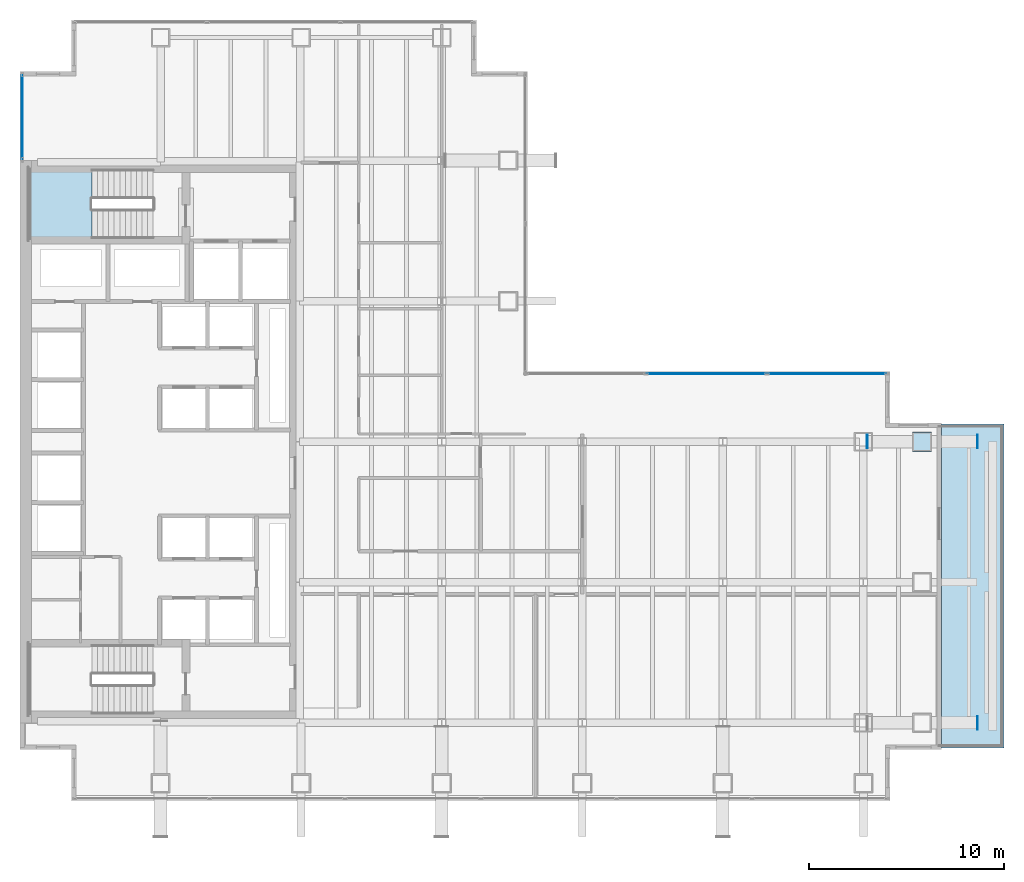
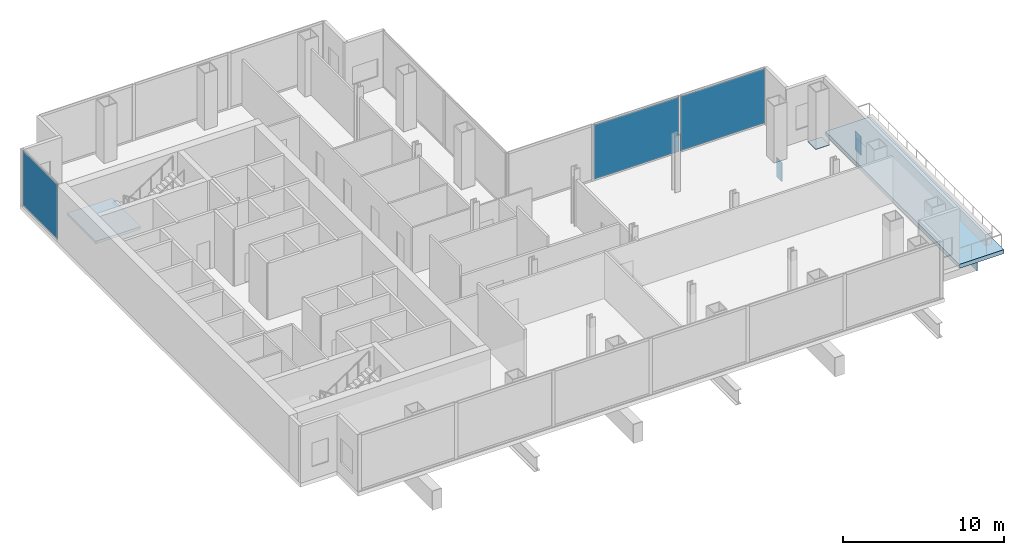
# One storey, part 12 of 16: 7 plates, 2 slabs, 3 elements without a shape of their own.
"""IFC4 building model written with IfcOpenShell, lengths in metres."""

import ifcopenshell
import ifcopenshell.guid

model = None  # the IFC model being written
_history = None  # IfcOwnerHistory: only IFC2X3 demands one
_inside = {}  # id of a spatial element -> (the spatial element, [elements in it])
_under = {}  # id of a project, library or spatial element -> (it, [spatial elements below it])
_declared = {}  # id of a project -> (the project, [libraries it declares])
_typed = {}  # id of a type object -> (the type object, [elements of that type])
_made_of = {}  # id of a material, layer set ... -> (it, [elements and type objects made of it])


def new_model(schema):
    """Start an empty IFC model of exactly this schema.

    Asked for "IFC4X3", IfcOpenShell would pick the latest addendum, in which some entities
    have other attributes; the version numbers below select the first issue.
    IFC2X3 requires an IfcOwnerHistory on every rooted entity: one is made here for all.
    """
    global model, _history
    if schema == "IFC4X3":
        model = ifcopenshell.file(schema_version=(4, 3, 0, 0))
    else:
        model = ifcopenshell.file(schema=schema)
    _inside.clear()
    _under.clear()
    _declared.clear()
    _typed.clear()
    _made_of.clear()
    _history = None
    if model.schema == "IFC2X3":
        org = make("IfcOrganization", Name="unknown")
        user = make(
            "IfcPersonAndOrganization",
            ThePerson=make("IfcPerson", FamilyName="unknown"),
            TheOrganization=org,
        )
        app = make(
            "IfcApplication",
            ApplicationDeveloper=org,
            Version="unknown",
            ApplicationFullName="unknown",
            ApplicationIdentifier="unknown",
        )
        _history = make(
            "IfcOwnerHistory",
            OwningUser=user,
            OwningApplication=app,
            ChangeAction="ADDED",
            CreationDate=0,
        )
    return model


def make(cls, **values):
    """One entity of the class cls with the attributes given. An attribute that is None is left unset."""
    return model.create_entity(
        cls, **{name: value for name, value in values.items() if value is not None}
    )


def rooted(cls, **values):
    """An entity with a GlobalId (a new one), such as an element, a storey or a relation."""
    return make(cls, GlobalId=ifcopenshell.guid.new(), OwnerHistory=_history, **values)


def si_unit(unit_type, name, prefix=None):
    """IfcSIUnit, for example si_unit("LENGTHUNIT", "METRE", prefix="MILLI")."""
    return make("IfcSIUnit", UnitType=unit_type, Prefix=prefix, Name=name)


def assignment(units):
    """IfcUnitAssignment: the units of a project."""
    return None if units is None else make("IfcUnitAssignment", Units=units)


def point(xyz):
    """IfcCartesianPoint."""
    return None if xyz is None else make("IfcCartesianPoint", Coordinates=xyz)


def direction(xyz):
    """IfcDirection."""
    return None if xyz is None else make("IfcDirection", DirectionRatios=xyz)


def frame(location, z_axis=None, x_axis=None):
    """IfcAxis2Placement3D, a coordinate frame: its origin and axes. An axis left out is left unset."""
    return make(
        "IfcAxis2Placement3D",
        Location=point(location),
        Axis=direction(z_axis),
        RefDirection=direction(x_axis),
    )


def frame_2d(location, x_axis=None):
    """IfcAxis2Placement2D, a coordinate frame in the plane: its origin and x axis."""
    return make(
        "IfcAxis2Placement2D", Location=point(location), RefDirection=direction(x_axis)
    )


def origin():
    """The frame at (0, 0, 0) with its axes left unset."""
    return frame((0.0, 0.0, 0.0))


def origin_2d():
    """The frame at (0, 0) in the plane with its x axis left unset."""
    return frame_2d((0.0, 0.0))


def place(relative_to, where):
    """IfcLocalPlacement: puts the frame where relative to a parent placement (None: the world)."""
    return make(
        "IfcLocalPlacement", PlacementRelTo=relative_to, RelativePlacement=where
    )


def context(
    kind, dimensions, precision=None, world=None, true_north=None, identifier=None
):
    """IfcGeometricRepresentationContext, for example the 3D "Model" context."""
    return make(
        "IfcGeometricRepresentationContext",
        ContextIdentifier=identifier,
        ContextType=kind,
        CoordinateSpaceDimension=dimensions,
        Precision=precision,
        WorldCoordinateSystem=world,
        TrueNorth=true_north,
    )


def subcontext(parent, identifier, kind, view, scale=None):
    """IfcGeometricRepresentationSubContext, for example "Body" below "Model"."""
    return make(
        "IfcGeometricRepresentationSubContext",
        ContextIdentifier=identifier,
        ContextType=kind,
        ParentContext=parent,
        TargetScale=scale,
        TargetView=view,
    )


def project(units=None, contexts=None):
    """IfcProject with its units and contexts."""
    return rooted(
        "IfcProject",
        Name="project",
        RepresentationContexts=contexts,
        UnitsInContext=assignment(units),
    )


def spatial(cls, under=None, at=None, **own):
    """A site, building, storey or space (cls), placed at a placement, below another one or the project."""
    s = rooted(cls, ObjectPlacement=at, **own)
    if under is not None:
        _under.setdefault(under.id(), (under, []))[1].append(s)
    return s


def polyline(points):
    """IfcPolyline through the points."""
    return make("IfcPolyline", Points=[point(p) for p in points])


def profile(cls, at=None, kind="AREA", **sizes):
    """A parametric profile (cls). Its sizes go by their IFC names, for example OverallWidth=200.0."""
    return make(cls, ProfileType=kind, Position=at, **sizes)


def rectangle(**sizes):
    """IfcRectangleProfileDef."""
    return profile("IfcRectangleProfileDef", **sizes)


def outline(outer, holes=None, kind="AREA"):
    """IfcArbitraryClosedProfileDef: a profile drawn as a closed curve; with holes, ...WithVoids."""
    if holes is None:
        return make("IfcArbitraryClosedProfileDef", ProfileType=kind, OuterCurve=outer)
    return make(
        "IfcArbitraryProfileDefWithVoids",
        ProfileType=kind,
        OuterCurve=outer,
        InnerCurves=holes,
    )


def extrude(swept, where, along, depth):
    """IfcExtrudedAreaSolid: the profile swept, set in the frame where, extruded along a direction by depth."""
    return make(
        "IfcExtrudedAreaSolid",
        SweptArea=swept,
        Position=where,
        ExtrudedDirection=direction(along),
        Depth=depth,
    )


def shape(context_of_items, identifier, shape_type, items):
    """IfcShapeRepresentation: the items that make up one representation, for example the "Body"."""
    return make(
        "IfcShapeRepresentation",
        ContextOfItems=context_of_items,
        RepresentationIdentifier=identifier,
        RepresentationType=shape_type,
        Items=items,
    )


def material(Name=None, Category=None):
    """IfcMaterial."""
    return make("IfcMaterial", Name=Name, Category=Category)


def layer(
    of_material, thickness, ventilated=None, Name=None, Category=None, Priority=None
):
    """IfcMaterialLayer: one layer of a wall or slab, of a material (None: an air gap)."""
    return make(
        "IfcMaterialLayer",
        Material=of_material,
        LayerThickness=thickness,
        IsVentilated=ventilated,
        Name=Name,
        Category=Category,
        Priority=Priority,
    )


def layer_set(layers, Name=None):
    """IfcMaterialLayerSet."""
    return make("IfcMaterialLayerSet", MaterialLayers=layers, LayerSetName=Name)


def made_of(thing, what):
    """Note that an element or type object is made of a material, layer set ...; save() writes the relation."""
    if what is not None:
        _made_of.setdefault(what.id(), (what, []))[1].append(thing)
    return thing


def type_object(cls, material=None, **own):
    """A type object (cls), such as IfcWallType, which elements share."""
    return made_of(rooted(cls, **own), material)


def element(
    cls,
    number,
    at=None,
    inside=None,
    cuts=None,
    type_object=None,
    material=None,
    context=None,
    identifier="Body",
    shape_type=None,
    held_by="IfcProductDefinitionShape",
    body=None,
    shapes=None,
    **own,
):
    """One element of the class cls, such as IfcWall. Its Tag is "e" and its number.

    at: its placement. inside: the storey or other place that contains it. cuts: it is an
    opening in that element (IfcRelVoidsElement). A single representation is given by context,
    identifier, shape_type and body (its items); several are given by shapes. held_by: the class
    of the entity that holds the representations. save() writes the other relations.
    """
    e = rooted(cls, Tag="e%d" % number, ObjectPlacement=at, **own)
    if body is not None:
        shapes = [shape(context, identifier, shape_type, body)]
    if shapes is not None:
        e.Representation = make(held_by, Representations=shapes)
    if inside is not None:
        _inside.setdefault(inside.id(), (inside, []))[1].append(e)
    if cuts is not None:
        rooted(
            "IfcRelVoidsElement", RelatingBuildingElement=cuts, RelatedOpeningElement=e
        )
    if type_object is not None:
        _typed.setdefault(type_object.id(), (type_object, []))[1].append(e)
    return made_of(e, material)


def aggregate(whole, parts):
    """IfcRelAggregates: a whole, such as a stair, and the parts it consists of."""
    return rooted("IfcRelAggregates", RelatingObject=whole, RelatedObjects=parts)


def save(model, path):
    """Write the relations noted so far, then the file.

    IfcRelAggregates (storeys below a building ...), IfcRelContainedInSpatialStructure (elements
    in a storey), IfcRelDefinesByType, IfcRelAssociatesMaterial and IfcRelDeclares: one each for
    every whole, place, type object, material and project.
    """
    for whole, parts in _under.values():
        aggregate(whole, parts)
    for where, things in _inside.values():
        rooted(
            "IfcRelContainedInSpatialStructure",
            RelatedElements=things,
            RelatingStructure=where,
        )
    for kind, things in _typed.values():
        rooted("IfcRelDefinesByType", RelatedObjects=things, RelatingType=kind)
    for what, things in _made_of.values():
        rooted("IfcRelAssociatesMaterial", RelatedObjects=things, RelatingMaterial=what)
    for by, libraries in _declared.values():
        rooted("IfcRelDeclares", RelatingContext=by, RelatedDefinitions=libraries)
    model.write(path)


model = new_model("IFC4")

# Units and contexts
model_context = context("Model", 3, precision=1e-05, world=origin(), true_north=direction((0.0, 1.0)))
body_context = subcontext(model_context, "Body", "Model", "MODEL_VIEW")
ifc_project = project(units=[si_unit("LENGTHUNIT", "METRE"), si_unit("AREAUNIT", "SQUARE_METRE"), si_unit("VOLUMEUNIT", "CUBIC_METRE"), si_unit("PLANEANGLEUNIT", "RADIAN"), si_unit("MASSUNIT", "GRAM", prefix="KILO")], contexts=[model_context])

# Site, building, storey
site_placement = place(None, origin())
site = spatial("IfcSite", under=ifc_project, at=site_placement, CompositionType="ELEMENT")
building_placement = place(site_placement, origin())
building = spatial("IfcBuilding", under=site, at=building_placement, Name="Cobrela Telecom Tower", CompositionType="ELEMENT")
storey_placement = place(building_placement, frame((0.0, 0.0, 97.64990234375)))
storey = spatial("IfcBuildingStorey", under=building, at=storey_placement, Name="L24", CompositionType="ELEMENT", Elevation=97.64990234375)

# Curtain wall, plate
ifc_material_1 = material(Name="Anodized Bronze Aluminium 6063-T6", Category="aluminium")
curtain_wall_type = type_object("IfcCurtainWallType", Name="CW-SYS-SKY", PredefinedType="USERDEFINED", material=ifc_material_1)
curtain_wall_1_placement = place(storey_placement, origin())
curtain_wall_1 = element("IfcCurtainWall", 1, at=curtain_wall_1_placement, inside=storey, type_object=curtain_wall_type, Name="L24 Unitised Bronze Curtain Wall 04", ObjectType="UNITISED CURTAIN WALL", PredefinedType="USERDEFINED")
ifc_material_2 = material(Name="Solar-Control Bronze Low-E Glass", Category="glass")
ifc_layer_1 = layer(ifc_material_2, 0.0400390625)
ifc_layer_set_1 = layer_set([ifc_layer_1], Name="Solar-Control Bronze Low-E Glass")
plate_type_1 = type_object("IfcPlateType", Name="CW-SYS-SKY-PNL", PredefinedType="CURTAIN_PANEL", material=ifc_layer_set_1)
plate_1_placement = place(storey_placement, frame((0.1201171875, 38.22509765625, 0.0751953125), z_axis=(0.0, 0.0, 1.0), x_axis=(0.0, 1.0, 0.0)))
plate_1 = element("IfcPlate", 2, at=plate_1_placement, type_object=plate_type_1, Name="CW-SKY panel 1.1", PredefinedType="CURTAIN_PANEL", context=body_context, shape_type="SweptSolid", body=[
    extrude(rectangle(XDim=4.2900390625, YDim=0.0400390625, at=origin_2d()), origin(), (0.0, 0.0, 1.0), 4.1298828125),
])
aggregate(curtain_wall_1, [plate_1])

# Curtain wall, plates
curtain_wall_2_placement = place(storey_placement, origin())
curtain_wall_2 = element("IfcCurtainWall", 3, at=curtain_wall_2_placement, inside=storey, type_object=curtain_wall_type, Name="L24 Unitised Bronze Curtain Wall 11", ObjectType="UNITISED CURTAIN WALL", PredefinedType="USERDEFINED")
plate_2_placement = place(storey_placement, frame((35.1650390625, 25.080078125, 0.0751953125), z_axis=(0.0, 0.0, 1.0), x_axis=(1.0, 0.0, 0.0)))
plate_2 = element("IfcPlate", 4, at=plate_2_placement, type_object=plate_type_1, Name="CW-SKY panel 2.1", PredefinedType="CURTAIN_PANEL", context=body_context, shape_type="SweptSolid", body=[
    extrude(rectangle(XDim=6.110107421875, YDim=0.0400390625, at=origin_2d()), origin(), (0.0, 0.0, 1.0), 4.1298828125),
])
plate_3_placement = place(storey_placement, frame((41.3349609375, 25.080078125, 0.0751953125), z_axis=(0.0, 0.0, 1.0), x_axis=(1.0, 0.0, 0.0)))
plate_3 = element("IfcPlate", 5, at=plate_3_placement, type_object=plate_type_1, Name="CW-SKY panel 3.1", PredefinedType="CURTAIN_PANEL", context=body_context, shape_type="SweptSolid", body=[
    extrude(rectangle(XDim=6.070068359375, YDim=0.0400390625, at=origin_2d()), origin(), (0.0, 0.0, 1.0), 4.1298828125),
])
aggregate(curtain_wall_2, [plate_2, plate_3])

# Plates
ifc_material_3 = material(Name="Steel ASTM A572 Grade 50", Category="steel")
ifc_layer_2 = layer(ifc_material_3, 0.044921875)
ifc_layer_set_2 = layer_set([ifc_layer_2], Name="Steel ASTM A572 Grade 50")
plate_type_2 = type_object("IfcPlateType", Name="PLT-END-CAP-45", PredefinedType="SHEET", material=ifc_layer_set_2)
plate_4_placement = place(storey_placement, frame((46.199951171875, 21.60009765625, -0.04248046875), z_axis=(0.0, 0.0, 1.0), x_axis=(1.0, 0.0, 0.0)))
element("IfcPlate", 6, at=plate_4_placement, inside=storey, type_object=plate_type_2, Name="L24 Stepped Column Base Cap Plate 69", PredefinedType="SHEET", context=body_context, shape_type="SweptSolid", body=[
    extrude(rectangle(XDim=0.989990234375, YDim=0.989990234375, at=origin_2d()), origin(), (0.0, 0.0, 1.0), 0.044921875),
])
ifc_layer_3 = layer(ifc_material_3, 0.0439453125)
ifc_layer_set_3 = layer_set([ifc_layer_3], Name="Steel ASTM A572 Grade 50")
plate_type_3 = type_object("IfcPlateType", Name="PLT-NODE-ND2", PredefinedType="USERDEFINED", material=ifc_layer_set_3)
for number, where, z_axis, x_axis, name in (
    (7, (49.0400390625, 7.199951171875, -1.719970703125), (0.0, 0.0, 1.0), (1.0, 0.0, 0.0), "Steel node plate PLT-BM-L24-BM-TRG-1400-X-072-434-C1"),
    (8, (43.389404296875, 21.60009765625, -1.719970703125), (0.0, 0.0, 1.0), (1.0, 0.0, 0.0), "Steel node plate PLT-BM-L24-BM-TRG-1400-X-216-434-C0"),
    (9, (49.0400390625, 21.60009765625, -1.719970703125), (0.0, 0.0, 1.0), (1.0, 0.0, 0.0), "Steel node plate PLT-BM-L24-BM-TRG-1400-X-216-434-C1"),
):
    element("IfcPlate", number, at=place(storey_placement, frame(where, z_axis=z_axis, x_axis=x_axis)), inside=storey, type_object=plate_type_3, Name=name, ObjectType="GUSSET PLATE", PredefinedType="USERDEFINED", context=body_context, shape_type="SweptSolid", body=[
        extrude(rectangle(XDim=0.044921875, YDim=0.68994140625, at=origin_2d()), origin(), (0.0, 0.0, 1.0), 1.43994140625),
    ])

# Stair, slab
ifc_material_4 = material(Name="Concrete C40/50", Category="concrete")
stair_type = type_object("IfcStairType", Name="STAIR-CORE", PredefinedType="HALF_TURN_STAIR", material=ifc_material_4)
stair_placement = place(storey_placement, origin())
stair = element("IfcStair", 10, at=stair_placement, inside=storey, type_object=stair_type, Name="L24 Smokeproof Exit Stair ST1", PredefinedType="HALF_TURN_STAIR")
ifc_layer_4 = layer(ifc_material_4, 0.199951171875)
ifc_layer_set_4 = layer_set([ifc_layer_4], Name="Concrete C40/50")
slab_type_1 = type_object("IfcSlabType", Name="SLAB-LAND-200", PredefinedType="LANDING", material=ifc_layer_set_4)
slab_1_placement = place(storey_placement, frame((0.0, 0.0, 2.0751953125)))
slab_1 = element("IfcSlab", 11, at=slab_1_placement, type_object=slab_type_1, Name="ST1 landing 1", PredefinedType="LANDING", context=body_context, shape_type="SweptSolid", body=[
    extrude(outline(polyline([(3.68505859375, 35.550048828125), (0.47998046875, 35.550048828125), (0.47998046875, 32.0), (3.68505859375, 32.0), (3.68505859375, 35.550048828125)])), origin(), (0.0, 0.0, 1.0), 0.199951171875),
])
aggregate(stair, [slab_1])

# Slab
ifc_layer_5 = layer(ifc_material_4, 0.280029296875)
ifc_layer_set_5 = layer_set([ifc_layer_5], Name="Concrete C40/50")
slab_type_2 = type_object("IfcSlabType", Name="SLAB-TERR-280", PredefinedType="FLOOR", material=ifc_layer_set_5)
slab_2_placement = place(storey_placement, frame((0.0, 0.0, -0.2998046875)))
element("IfcSlab", 12, at=slab_2_placement, inside=storey, type_object=slab_type_2, Name="L24 South-East Sky Garden Terrace", PredefinedType="FLOOR", context=body_context, shape_type="SweptSolid", body=[
    extrude(outline(polyline([(47.199951171875, 5.89990234375), (50.39990234375, 5.89990234375), (50.39990234375, 22.5), (47.199951171875, 22.5), (47.199951171875, 5.89990234375)])), origin(), (0.0, 0.0, 1.0), 0.2998046875),
])

save(model, "model.ifc")
